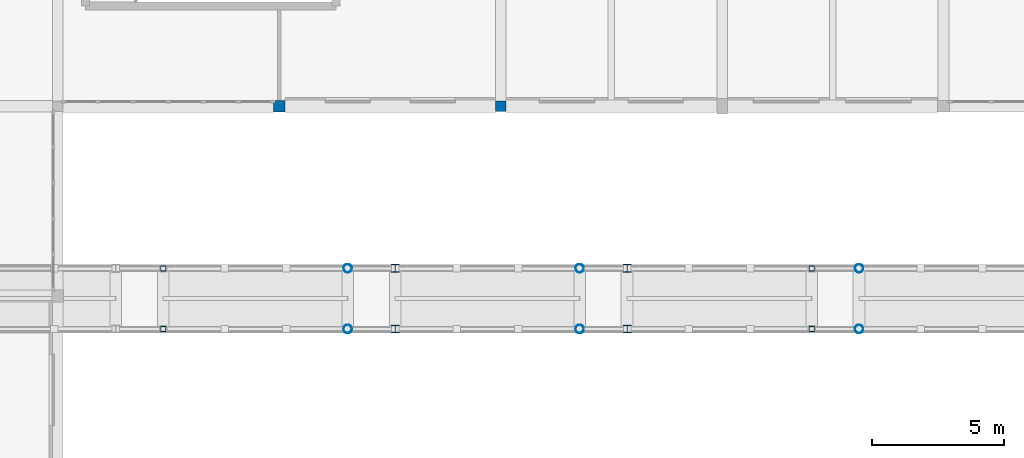
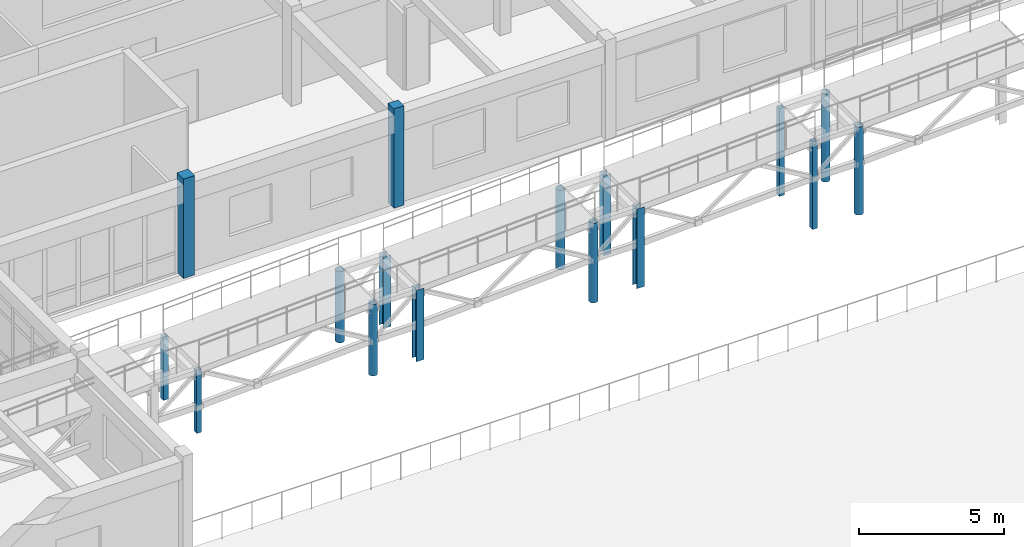
# One storey, part 5 of 90: 16 columns.
"""IFC4 building model written with IfcOpenShell, lengths in metres."""

from ifc_helpers import new_model, si_unit, direction, frame, origin, origin_2d, place, context, subcontext, project, spatial, rectangle, hollow_rectangle, hollow_circle, i_section, extrude, material, material_profile, profile_set, type_object, element, save


model = new_model("IFC4")

# Units and contexts
model_context = context("Model", 3, precision=1e-05, world=origin(), true_north=direction((0.0, 1.0)))
body_context = subcontext(model_context, "Body", "Model", "MODEL_VIEW")
ifc_project = project(units=[si_unit("LENGTHUNIT", "METRE"), si_unit("AREAUNIT", "SQUARE_METRE"), si_unit("VOLUMEUNIT", "CUBIC_METRE"), si_unit("PLANEANGLEUNIT", "RADIAN"), si_unit("MASSUNIT", "GRAM", prefix="KILO")], contexts=[model_context])

# Site, building, storey
site_placement = place(None, origin())
site = spatial("IfcSite", under=ifc_project, at=site_placement, CompositionType="ELEMENT")
building_placement = place(site_placement, origin())
building = spatial("IfcBuilding", under=site, at=building_placement, Name="Malvenik Polytechnic", CompositionType="ELEMENT")
storey_placement = place(building_placement, frame((0.0, 0.0, 9.300048828125)))
storey = spatial("IfcBuildingStorey", under=building, at=storey_placement, Name="L02", CompositionType="ELEMENT", Elevation=9.300048828125)

# Columns
ifc_material_1 = material(Name="Concrete C35/45", Category="concrete")
ifc_material_profile_1 = material_profile(ifc_material_1, rectangle(XDim=0.449951171875, YDim=0.449951171875, at=origin_2d()), Name="RC COL 450x450")
ifc_profile_set_1 = profile_set([ifc_material_profile_1], Name="Concrete C35/45")
column_type_1 = type_object("IfcColumnType", Name="STR-COL-C-09", PredefinedType="COLUMN", material=ifc_profile_set_1)
column_1_placement = place(storey_placement, frame((100.800048828125, 50.39990234375, 0.0), z_axis=(0.0, 0.0, 1.0), x_axis=(1.0, 0.0, 0.0)))
element("IfcColumn", 1, at=column_1_placement, inside=storey, type_object=column_type_1, Name="Column C-09 L02 (100.8,50.4)", PredefinedType="COLUMN", context=body_context, shape_type="SweptSolid", body=[
    extrude(rectangle(XDim=0.449951171875, YDim=0.449951171875, at=origin_2d()), origin(), (0.0, 0.0, 1.0), 4.199951171875),
])
ifc_material_2 = material(Name="Concrete C30/37", Category="concrete")
ifc_material_profile_2 = material_profile(ifc_material_2, rectangle(XDim=0.39990234375, YDim=0.39990234375, at=origin_2d()), Name="RC COL 400x400")
ifc_profile_set_2 = profile_set([ifc_material_profile_2], Name="Concrete C30/37")
column_type_2 = type_object("IfcColumnType", Name="STR-COL-C-10", PredefinedType="COLUMN", material=ifc_profile_set_2)
column_2_placement = place(storey_placement, frame((109.199951171875, 50.39990234375, 0.0), z_axis=(0.0, 0.0, 1.0), x_axis=(1.0, 0.0, 0.0)))
element("IfcColumn", 2, at=column_2_placement, inside=storey, type_object=column_type_2, Name="Column C-10 L02 (109.2,50.4)", PredefinedType="COLUMN", context=body_context, shape_type="SweptSolid", body=[
    extrude(rectangle(XDim=0.39990234375, YDim=0.39990234375, at=origin_2d()), origin(), (0.0, 0.0, 1.0), 4.199951171875),
])
ifc_material_3 = material(Name="Steel S355J2H", Category="steel")
ifc_material_profile_3 = material_profile(ifc_material_3, hollow_rectangle(XDim=0.199951171875, YDim=0.199951171875, WallThickness=0.010009765625, at=origin_2d()), Name="SHS 200x200x10.0")
ifc_profile_set_3 = profile_set([ifc_material_profile_3], Name="Steel S355J2H")
column_type_3 = type_object("IfcColumnType", Name="STR-SCOL-SC-02", PredefinedType="COLUMN", material=ifc_profile_set_3)
for number, where, z_axis, x_axis, name in (
    (3, (96.39990234375, 41.949951171875, 0.0), (0.0, 0.0, 1.0), (1.0, 0.0, 0.0), "Bridge-Ramp Support Column SC-02 L02"),
    (4, (96.39990234375, 44.25, 0.0), (0.0, 0.0, 1.0), (1.0, 0.0, 0.0), "Bridge-Ramp Support Column SC-02 L02"),
):
    element("IfcColumn", number, at=place(storey_placement, frame(where, z_axis=z_axis, x_axis=x_axis)), inside=storey, type_object=column_type_3, Name=name, PredefinedType="COLUMN", context=body_context, shape_type="SweptSolid", body=[
        extrude(hollow_rectangle(XDim=0.199951171875, YDim=0.199951171875, WallThickness=0.010009765625, at=origin_2d()), origin(), (0.0, 0.0, 1.0), 2.659912109375),
    ])
for number, where, z_axis, x_axis, name in (
    (5, (121.0, 41.949951171875, 0.0), (0.0, 0.0, 1.0), (1.0, 0.0, 0.0), "Bridge-Ramp Support Column SC-02 L02"),
    (6, (121.0, 44.25, 0.0), (0.0, 0.0, 1.0), (1.0, 0.0, 0.0), "Bridge-Ramp Support Column SC-02 L02"),
):
    element("IfcColumn", number, at=place(storey_placement, frame(where, z_axis=z_axis, x_axis=x_axis)), inside=storey, type_object=column_type_3, Name=name, PredefinedType="COLUMN", context=body_context, shape_type="SweptSolid", body=[
        extrude(hollow_rectangle(XDim=0.199951171875, YDim=0.199951171875, WallThickness=0.010009765625, at=origin_2d()), origin(), (0.0, 0.0, 1.0), 3.7099609375),
    ])
ifc_material_profile_4 = material_profile(ifc_material_3, hollow_circle(Radius=0.161865234375, WallThickness=0.012451171875, at=origin_2d()), Name="CHS 323.9x12.5")
ifc_profile_set_4 = profile_set([ifc_material_profile_4], Name="Steel S355J2H")
column_type_4 = type_object("IfcColumnType", Name="STR-SCOL-SC-04", PredefinedType="COLUMN", material=ifc_profile_set_4)
for number, where, z_axis, x_axis, name in (
    (7, (103.39990234375, 41.949951171875, 0.0), (0.0, 0.0, 1.0), (1.0, 0.0, 0.0), "Bridge-Ramp Support Column SC-04 L02"),
    (8, (103.39990234375, 44.25, 0.0), (0.0, 0.0, 1.0), (1.0, 0.0, 0.0), "Bridge-Ramp Support Column SC-04 L02"),
):
    element("IfcColumn", number, at=place(storey_placement, frame(where, z_axis=z_axis, x_axis=x_axis)), inside=storey, type_object=column_type_4, Name=name, PredefinedType="COLUMN", context=body_context, shape_type="SweptSolid", body=[
        extrude(hollow_circle(Radius=0.161865234375, WallThickness=0.012451171875, at=origin_2d()), origin(), (0.0, 0.0, 1.0), 3.010009765625),
    ])
for number, where, z_axis, x_axis, name in (
    (9, (112.199951171875, 41.949951171875, 0.0), (0.0, 0.0, 1.0), (1.0, 0.0, 0.0), "Bridge-Ramp Support Column SC-04 L02"),
    (10, (112.199951171875, 44.25, 0.0), (0.0, 0.0, 1.0), (1.0, 0.0, 0.0), "Bridge-Ramp Support Column SC-04 L02"),
):
    element("IfcColumn", number, at=place(storey_placement, frame(where, z_axis=z_axis, x_axis=x_axis)), inside=storey, type_object=column_type_4, Name=name, PredefinedType="COLUMN", context=body_context, shape_type="SweptSolid", body=[
        extrude(hollow_circle(Radius=0.161865234375, WallThickness=0.012451171875, at=origin_2d()), origin(), (0.0, 0.0, 1.0), 3.35986328125),
    ])
for number, where, z_axis, x_axis, name in (
    (11, (122.800048828125, 41.949951171875, 0.0), (0.0, 0.0, 1.0), (1.0, 0.0, 0.0), "Bridge-Ramp Support Column SC-04 L02"),
    (12, (122.800048828125, 44.25, 0.0), (0.0, 0.0, 1.0), (1.0, 0.0, 0.0), "Bridge-Ramp Support Column SC-04 L02"),
):
    element("IfcColumn", number, at=place(storey_placement, frame(where, z_axis=z_axis, x_axis=x_axis)), inside=storey, type_object=column_type_4, Name=name, PredefinedType="COLUMN", context=body_context, shape_type="SweptSolid", body=[
        extrude(hollow_circle(Radius=0.161865234375, WallThickness=0.012451171875, at=origin_2d()), origin(), (0.0, 0.0, 1.0), 3.7099609375),
    ])
ifc_material_4 = material(Name="Steel S355", Category="steel")
ifc_material_profile_5 = material_profile(ifc_material_4, i_section(OverallWidth=0.300048828125, OverallDepth=0.300048828125, WebThickness=0.010986328125, FlangeThickness=0.01904296875, FilletRadius=0.027099609375, at=origin_2d()), Name="HEB 300")
ifc_profile_set_5 = profile_set([ifc_material_profile_5], Name="Steel S355")
column_type_5 = type_object("IfcColumnType", Name="STR-SCOL-SC-05", PredefinedType="COLUMN", material=ifc_profile_set_5)
for number, where, z_axis, x_axis, name in (
    (13, (105.199951171875, 41.949951171875, 0.0), (0.0, 0.0, 1.0), (1.0, 0.0, 0.0), "Bridge-Ramp Support Column SC-05 L02"),
    (14, (105.199951171875, 44.25, 0.0), (0.0, 0.0, 1.0), (1.0, 0.0, 0.0), "Bridge-Ramp Support Column SC-05 L02"),
):
    element("IfcColumn", number, at=place(storey_placement, frame(where, z_axis=z_axis, x_axis=x_axis)), inside=storey, type_object=column_type_5, Name=name, PredefinedType="COLUMN", context=body_context, shape_type="SweptSolid", body=[
        extrude(i_section(OverallWidth=0.300048828125, OverallDepth=0.300048828125, WebThickness=0.010986328125, FlangeThickness=0.01904296875, FilletRadius=0.027099609375, at=origin_2d()), origin(), (0.0, 0.0, 1.0), 3.010009765625),
    ])
for number, where, z_axis, x_axis, name in (
    (15, (114.0, 41.949951171875, 0.0), (0.0, 0.0, 1.0), (1.0, 0.0, 0.0), "Bridge-Ramp Support Column SC-05 L02"),
    (16, (114.0, 44.25, 0.0), (0.0, 0.0, 1.0), (1.0, 0.0, 0.0), "Bridge-Ramp Support Column SC-05 L02"),
):
    element("IfcColumn", number, at=place(storey_placement, frame(where, z_axis=z_axis, x_axis=x_axis)), inside=storey, type_object=column_type_5, Name=name, PredefinedType="COLUMN", context=body_context, shape_type="SweptSolid", body=[
        extrude(i_section(OverallWidth=0.300048828125, OverallDepth=0.300048828125, WebThickness=0.010986328125, FlangeThickness=0.01904296875, FilletRadius=0.027099609375, at=origin_2d()), origin(), (0.0, 0.0, 1.0), 3.35986328125),
    ])

save(model, "model.ifc")
